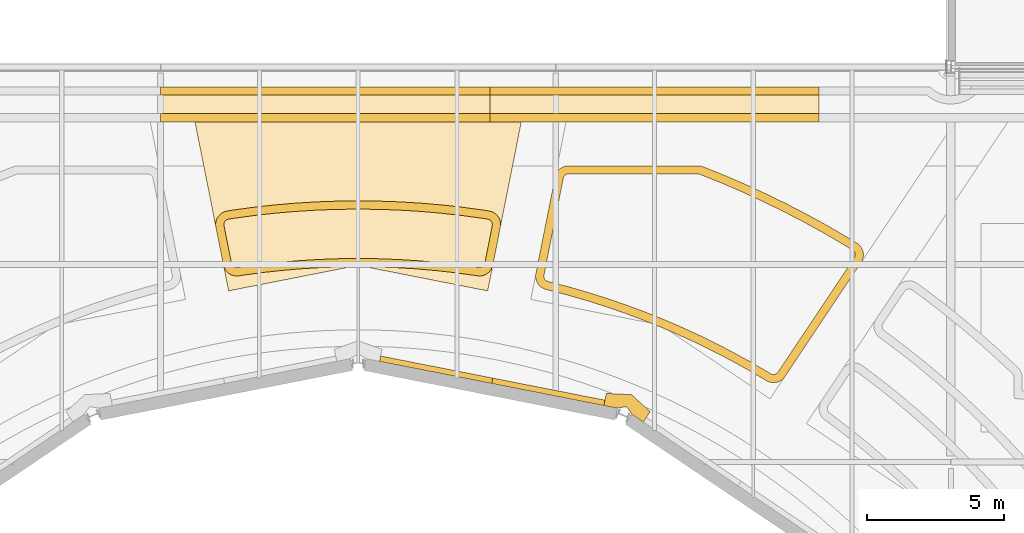
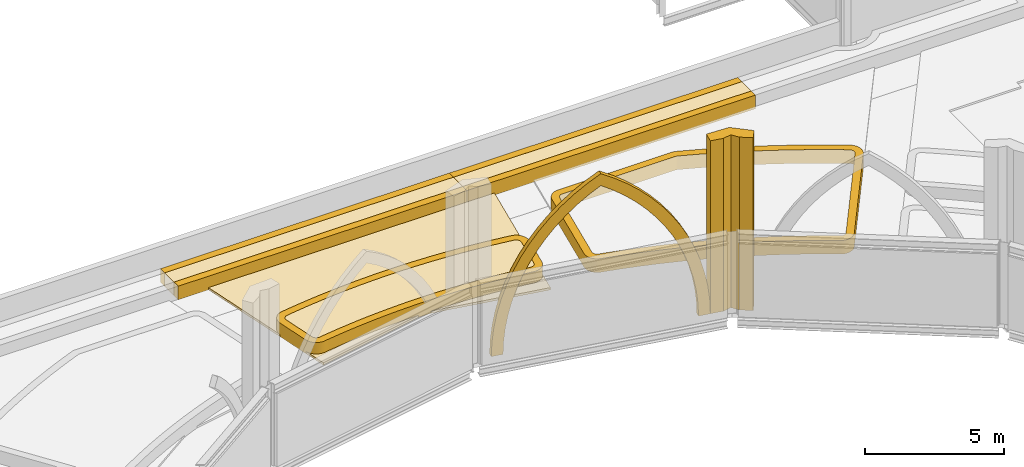
# One storey, part 97 of 110: 12 coverings.
"""IFC4 building model written with IfcOpenShell, lengths in metres."""

from ifc_helpers import new_model, si_unit, direction, frame, origin, place, context, subcontext, project, spatial, polyline, outline, extrude, material, layer, layer_set, type_object, element, save


model = new_model("IFC4")

# Units and contexts
model_context = context("Model", 3, precision=1e-05, world=origin(), true_north=direction((0.0, 1.0)))
body_context = subcontext(model_context, "Body", "Model", "MODEL_VIEW")
ifc_project = project(units=[si_unit("LENGTHUNIT", "METRE"), si_unit("AREAUNIT", "SQUARE_METRE"), si_unit("VOLUMEUNIT", "CUBIC_METRE"), si_unit("PLANEANGLEUNIT", "RADIAN"), si_unit("MASSUNIT", "GRAM", prefix="KILO")], contexts=[model_context])

# Site, building, storey
site_placement = place(None, origin())
site = spatial("IfcSite", under=ifc_project, at=site_placement, CompositionType="ELEMENT")
building_placement = place(site_placement, origin())
building = spatial("IfcBuilding", under=site, at=building_placement, Name="Kupolbacken Congress Centre", CompositionType="ELEMENT")
storey_placement = place(building_placement, frame((0.0, 0.0, 18.0)))
storey = spatial("IfcBuildingStorey", under=building, at=storey_placement, Name="L05", CompositionType="ELEMENT", Elevation=18.0)

# Coverings
ifc_material_1 = material(Name="Limestone cladding", Category="masonry")
ifc_layer_1 = layer(ifc_material_1, 0.60009765625)
ifc_layer_set_1 = layer_set([ifc_layer_1], Name="Limestone cladding")
covering_type_1 = type_object("IfcCoveringType", Name="CV5 limestone arcade pier 600", PredefinedType="CLADDING", material=ifc_layer_set_1)
covering_1_placement = place(storey_placement, origin())
element("IfcCovering", 1, at=covering_1_placement, inside=storey, type_object=covering_type_1, Name="Bed kerb, plenary wing roof", PredefinedType="CLADDING", context=body_context, shape_type="SweptSolid", body=[
    extrude(outline(polyline([(36.0, 120.3974609375), (36.0, 120.697509765625), (48.0, 120.697509765625), (48.0, 120.3974609375), (36.0, 120.3974609375)])), origin(), (0.0, 0.0, 1.0), 0.60009765625),
])
covering_2_placement = place(storey_placement, origin())
element("IfcCovering", 2, at=covering_2_placement, inside=storey, type_object=covering_type_1, Name="Bed kerb, plenary wing roof", PredefinedType="CLADDING", context=body_context, shape_type="SweptSolid", body=[
    extrude(outline(polyline([(48.0, 121.669921875), (48.0, 121.3701171875), (36.0, 121.3701171875), (36.0, 121.669921875), (48.0, 121.669921875)])), origin(), (0.0, 0.0, 1.0), 0.60009765625),
])
covering_3_placement = place(storey_placement, origin())
element("IfcCovering", 3, at=covering_3_placement, inside=storey, type_object=covering_type_1, Name="Bed kerb, plenary wing roof", PredefinedType="CLADDING", context=body_context, shape_type="SweptSolid", body=[
    extrude(outline(polyline([(48.0, 120.3974609375), (48.0, 120.697509765625), (60.0, 120.697509765625), (60.0, 120.3974609375), (48.0, 120.3974609375)])), origin(), (0.0, 0.0, 1.0), 0.60009765625),
])
covering_4_placement = place(storey_placement, origin())
element("IfcCovering", 4, at=covering_4_placement, inside=storey, type_object=covering_type_1, Name="Bed kerb, plenary wing roof", PredefinedType="CLADDING", context=body_context, shape_type="SweptSolid", body=[
    extrude(outline(polyline([(60.0, 121.669921875), (60.0, 121.3701171875), (48.0, 121.3701171875), (48.0, 121.669921875), (60.0, 121.669921875)])), origin(), (0.0, 0.0, 1.0), 0.60009765625),
])
covering_5_placement = place(storey_placement, origin())
element("IfcCovering", 5, at=covering_5_placement, inside=storey, type_object=covering_type_1, Name="Bed kerb, plenary wing roof", PredefinedType="CLADDING", context=body_context, shape_type="SweptSolid", body=[
    extrude(outline(polyline([(55.63623046875, 118.795166015625), (55.683349609375, 118.78857421875), (55.7294921875, 118.77734375), (55.7744140625, 118.76171875), (56.48095703125, 118.479248046875), (56.4921875, 118.474609375), (57.264404296875, 118.1435546875), (57.275390625, 118.138671875), (58.0390625, 117.788818359375), (58.050048828125, 117.78369140625), (58.804931640625, 117.415283203125), (58.81591796875, 117.40966796875), (59.561279296875, 117.02294921875), (59.572265625, 117.01708984375), (60.30810546875, 116.6123046875), (60.318603515625, 116.606201171875), (61.044189453125, 116.183349609375), (61.0546875, 116.177001953125), (61.377197265625, 115.978271484375), (61.41845703125, 115.949951171875), (61.456787109375, 115.91748046875), (61.49169921875, 115.88134765625), (61.522705078125, 115.841796875), (61.5498046875, 115.79931640625), (61.572265625, 115.754638671875), (61.590087890625, 115.707763671875), (61.603271484375, 115.6591796875), (61.611572265625, 115.609619140625), (61.61474609375, 115.5595703125), (61.61279296875, 115.509521484375), (61.606201171875, 115.459716796875), (61.59423828125, 115.410888671875), (61.57763671875, 115.363525390625), (61.556396484375, 115.318115234375), (61.530517578125, 115.27490234375), (58.751220703125, 111.114990234375), (58.72265625, 111.076416015625), (58.690673828125, 111.041015625), (58.6552734375, 111.008544921875), (58.616943359375, 110.979736328125), (58.576171875, 110.95458984375), (58.533203125, 110.93359375), (58.48828125, 110.916748046875), (58.44189453125, 110.904296875), (58.394775390625, 110.896240234375), (58.346923828125, 110.892822265625), (58.299072265625, 110.89404296875), (58.25146484375, 110.89990234375), (58.20458984375, 110.91015625), (58.158935546875, 110.9248046875), (58.114990234375, 110.944091796875), (58.072998046875, 110.967041015625), (57.967529296875, 111.0322265625), (57.96240234375, 111.035400390625), (57.358642578125, 111.38720703125), (57.353271484375, 111.39013671875), (56.7412109375, 111.72705078125), (56.735595703125, 111.72998046875), (56.115478515625, 112.0517578125), (56.110107421875, 112.0546875), (55.482177734375, 112.361083984375), (55.4765625, 112.36376953125), (54.84130859375, 112.654541015625), (54.835693359375, 112.656982421875), (54.193359375, 112.932373046875), (54.187744140625, 112.934814453125), (53.5390625, 113.194091796875), (53.533203125, 113.1962890625), (52.87841796875, 113.43994140625), (52.87255859375, 113.44189453125), (52.2119140625, 113.669189453125), (52.2060546875, 113.671142578125), (51.539794921875, 113.882080078125), (51.533935546875, 113.884033203125), (50.86279296875, 114.07861328125), (50.85693359375, 114.080078125), (50.181396484375, 114.25830078125), (50.17529296875, 114.259765625), (50.053466796875, 114.288818359375), (50.00732421875, 114.302001953125), (49.962890625, 114.319580078125), (49.920166015625, 114.341552734375), (49.8798828125, 114.3671875), (49.842041015625, 114.39697265625), (49.807373046875, 114.429931640625), (49.77587890625, 114.466064453125), (49.748291015625, 114.505126953125), (49.724365234375, 114.546630859375), (49.70458984375, 114.59033203125), (49.68896484375, 114.635498046875), (49.677734375, 114.68212890625), (49.671142578125, 114.7294921875), (49.6689453125, 114.777587890625), (49.67138671875, 114.825439453125), (49.6787109375, 114.872802734375), (50.379150390625, 118.39501953125), (50.39111328125, 118.442626953125), (50.40771484375, 118.48876953125), (50.4287109375, 118.533203125), (50.453857421875, 118.5751953125), (50.48291015625, 118.61474609375), (50.51611328125, 118.65087890625), (50.552490234375, 118.68408203125), (50.591796875, 118.713134765625), (50.6337890625, 118.738525390625), (50.67822265625, 118.759521484375), (50.724365234375, 118.77587890625), (50.77197265625, 118.787841796875), (50.820556640625, 118.795166015625), (50.86962890625, 118.797607421875), (55.5888671875, 118.797607421875), (55.63623046875, 118.795166015625)]), holes=[polyline([(50.876953125, 118.49755859375), (50.85009765625, 118.49609375), (50.83056640625, 118.493408203125), (50.8115234375, 118.488525390625), (50.793212890625, 118.48193359375), (50.775390625, 118.4736328125), (50.758544921875, 118.46337890625), (50.742919921875, 118.451904296875), (50.728515625, 118.438720703125), (50.715087890625, 118.424072265625), (50.70361328125, 118.408447265625), (50.693603515625, 118.3916015625), (50.68505859375, 118.373779296875), (50.678466796875, 118.35546875), (50.672119140625, 118.329345703125), (49.974365234375, 114.8212890625), (49.970458984375, 114.795166015625), (49.969482421875, 114.776123046875), (49.97021484375, 114.757080078125), (49.972900390625, 114.738037109375), (49.977294921875, 114.719482421875), (49.9833984375, 114.701416015625), (49.991455078125, 114.68408203125), (50.0009765625, 114.66748046875), (50.01220703125, 114.65185546875), (50.024658203125, 114.63720703125), (50.03857421875, 114.6240234375), (50.053466796875, 114.6123046875), (50.069580078125, 114.60205078125), (50.086669921875, 114.59326171875), (50.1044921875, 114.586181640625), (50.1298828125, 114.5791015625), (50.24658203125, 114.55126953125), (50.256103515625, 114.548828125), (50.935302734375, 114.369873046875), (50.944580078125, 114.3671875), (51.619384765625, 114.171630859375), (51.628662109375, 114.168701171875), (52.29833984375, 113.95654296875), (52.3076171875, 113.95361328125), (52.9716796875, 113.72509765625), (52.981201171875, 113.7216796875), (53.639404296875, 113.47705078125), (53.648681640625, 113.473388671875), (54.30078125, 113.212646484375), (54.309814453125, 113.208984375), (54.95556640625, 112.93212890625), (54.964599609375, 112.92822265625), (55.60302734375, 112.6357421875), (55.612060546875, 112.631591796875), (56.2431640625, 112.323486328125), (56.251953125, 112.31884765625), (56.87548828125, 111.99560546875), (56.884033203125, 111.99072265625), (57.49951171875, 111.652099609375), (57.508056640625, 111.647216796875), (58.114990234375, 111.293701171875), (58.123291015625, 111.28857421875), (58.224365234375, 111.226318359375), (58.247314453125, 111.213623046875), (58.264892578125, 111.2060546875), (58.283203125, 111.2001953125), (58.302001953125, 111.196044921875), (58.32080078125, 111.193603515625), (58.340087890625, 111.193115234375), (58.359130859375, 111.194580078125), (58.3779296875, 111.19775390625), (58.396484375, 111.20263671875), (58.414306640625, 111.20947265625), (58.431396484375, 111.2177734375), (58.447998046875, 111.227783203125), (58.463134765625, 111.239501953125), (58.477294921875, 111.252197265625), (58.489990234375, 111.2666015625), (58.505615234375, 111.28759765625), (61.27685546875, 115.435302734375), (61.291015625, 115.458984375), (61.299560546875, 115.47705078125), (61.30615234375, 115.49609375), (61.310791015625, 115.515380859375), (61.313720703125, 115.535400390625), (61.314453125, 115.555419921875), (61.31298828125, 115.575439453125), (61.309814453125, 115.59521484375), (61.3046875, 115.614501953125), (61.29736328125, 115.63330078125), (61.288330078125, 115.651123046875), (61.277587890625, 115.668212890625), (61.265380859375, 115.683837890625), (61.251220703125, 115.6982421875), (61.236083984375, 115.711181640625), (61.21337890625, 115.726806640625), (60.89892578125, 115.920654296875), (60.8916015625, 115.925048828125), (60.169189453125, 116.345947265625), (60.16162109375, 116.350341796875), (59.42919921875, 116.75341796875), (59.421630859375, 116.757568359375), (58.67919921875, 117.142578125), (58.671630859375, 117.146484375), (57.920166015625, 117.51318359375), (57.912353515625, 117.516845703125), (57.152099609375, 117.864990234375), (57.144287109375, 117.86865234375), (56.375732421875, 118.197998046875), (56.367919921875, 118.201416015625), (55.669677734375, 118.480712890625), (55.64501953125, 118.489013671875), (55.62646484375, 118.49365234375), (55.607666015625, 118.496337890625), (55.58154296875, 118.49755859375), (50.876953125, 118.49755859375)])]), origin(), (0.0, 0.0, 1.0), 0.60009765625),
])
covering_6_placement = place(storey_placement, origin())
element("IfcCovering", 6, at=covering_6_placement, inside=storey, type_object=covering_type_1, Name="Bed kerb, plenary wing roof", PredefinedType="CLADDING", context=body_context, shape_type="SweptSolid", body=[
    extrude(outline(polyline([(47.410888671875, 114.809326171875), (46.71875, 114.9033203125), (46.712646484375, 114.904296875), (46.01806640625, 114.981201171875), (46.011962890625, 114.981689453125), (45.31591796875, 115.041748046875), (45.309814453125, 115.042236328125), (44.6123046875, 115.0849609375), (44.606201171875, 115.085205078125), (43.907958984375, 115.111083984375), (43.90185546875, 115.111083984375), (43.203125, 115.119873046875), (43.197021484375, 115.119873046875), (42.498291015625, 115.111083984375), (42.4921875, 115.111083984375), (41.7939453125, 115.085205078125), (41.78759765625, 115.0849609375), (41.09033203125, 115.042236328125), (41.084228515625, 115.041748046875), (40.387939453125, 114.981689453125), (40.3818359375, 114.981201171875), (39.6875, 114.904296875), (39.681396484375, 114.9033203125), (38.989013671875, 114.809326171875), (38.98291015625, 114.80859375), (38.860595703125, 114.788818359375), (38.812744140625, 114.783447265625), (38.764892578125, 114.78271484375), (38.71728515625, 114.78662109375), (38.669921875, 114.794921875), (38.623779296875, 114.807861328125), (38.5791015625, 114.824951171875), (38.536376953125, 114.846435546875), (38.49560546875, 114.871826171875), (38.457763671875, 114.901123046875), (38.422607421875, 114.933837890625), (38.390869140625, 114.9697265625), (38.36279296875, 115.008544921875), (38.33837890625, 115.0498046875), (38.318115234375, 115.09326171875), (38.30224609375, 115.138427734375), (38.29052734375, 115.184814453125), (38.017333984375, 116.55859375), (38.010009765625, 116.6083984375), (38.0078125, 116.65869140625), (38.010498046875, 116.708740234375), (38.018310546875, 116.75830078125), (38.031005859375, 116.806884765625), (38.048583984375, 116.85400390625), (38.07080078125, 116.89892578125), (38.09716796875, 116.941650390625), (38.1279296875, 116.9814453125), (38.16259765625, 117.017822265625), (38.200439453125, 117.05078125), (38.24169921875, 117.07958984375), (38.285400390625, 117.10400390625), (38.331298828125, 117.1240234375), (38.379150390625, 117.139404296875), (38.428466796875, 117.14990234375), (38.627685546875, 117.181884765625), (38.639892578125, 117.183837890625), (39.384521484375, 117.284912109375), (39.396728515625, 117.286376953125), (40.1435546875, 117.369384765625), (40.15576171875, 117.37060546875), (40.904541015625, 117.43505859375), (40.916748046875, 117.435791015625), (41.6669921875, 117.48193359375), (41.67919921875, 117.482421875), (42.43017578125, 117.51025390625), (42.4423828125, 117.510498046875), (43.19384765625, 117.519775390625), (43.2060546875, 117.519775390625), (43.95751953125, 117.510498046875), (43.969970703125, 117.51025390625), (44.720703125, 117.482421875), (44.733154296875, 117.48193359375), (45.483154296875, 117.435791015625), (45.495361328125, 117.43505859375), (46.244140625, 117.37060546875), (46.25634765625, 117.369384765625), (47.00341796875, 117.286376953125), (47.015380859375, 117.284912109375), (47.760009765625, 117.183837890625), (47.772216796875, 117.181884765625), (47.9716796875, 117.14990234375), (48.020751953125, 117.139404296875), (48.068603515625, 117.1240234375), (48.114501953125, 117.10400390625), (48.158447265625, 117.07958984375), (48.199462890625, 117.05078125), (48.237548828125, 117.017822265625), (48.272216796875, 116.9814453125), (48.302734375, 116.941650390625), (48.329345703125, 116.89892578125), (48.3515625, 116.85400390625), (48.368896484375, 116.806884765625), (48.381591796875, 116.75830078125), (48.389404296875, 116.708740234375), (48.39208984375, 116.65869140625), (48.389892578125, 116.6083984375), (48.382568359375, 116.55859375), (48.109375, 115.184814453125), (48.097900390625, 115.138427734375), (48.081787109375, 115.09326171875), (48.0615234375, 115.0498046875), (48.037109375, 115.008544921875), (48.009033203125, 114.9697265625), (47.977294921875, 114.933837890625), (47.9423828125, 114.901123046875), (47.904296875, 114.871826171875), (47.86376953125, 114.846435546875), (47.82080078125, 114.824951171875), (47.776123046875, 114.807861328125), (47.72998046875, 114.794921875), (47.682861328125, 114.78662109375), (47.635009765625, 114.78271484375), (47.587158203125, 114.783447265625), (47.53955078125, 114.788818359375), (47.4169921875, 114.80859375), (47.410888671875, 114.809326171875)]), holes=[polyline([(47.580078125, 115.086181640625), (47.606201171875, 115.083251953125), (47.62548828125, 115.0830078125), (47.64453125, 115.08447265625), (47.663330078125, 115.087646484375), (47.681640625, 115.093017578125), (47.69970703125, 115.099853515625), (47.716796875, 115.1083984375), (47.73291015625, 115.118408203125), (47.748046875, 115.130126953125), (47.76220703125, 115.143310546875), (47.774658203125, 115.157470703125), (47.785888671875, 115.173095703125), (47.795654296875, 115.189453125), (47.8037109375, 115.206787109375), (47.810302734375, 115.224853515625), (47.81640625, 115.25048828125), (48.0869140625, 116.60986328125), (48.0908203125, 116.63720703125), (48.091796875, 116.6572265625), (48.0908203125, 116.67724609375), (48.087646484375, 116.697021484375), (48.08251953125, 116.71630859375), (48.07568359375, 116.735107421875), (48.066650390625, 116.753173828125), (48.05615234375, 116.770263671875), (48.0439453125, 116.7861328125), (48.030029296875, 116.800537109375), (48.014892578125, 116.813720703125), (47.99853515625, 116.8251953125), (47.98095703125, 116.835205078125), (47.962646484375, 116.843017578125), (47.943603515625, 116.84912109375), (47.91650390625, 116.85498046875), (47.726318359375, 116.885498046875), (47.718017578125, 116.88671875), (46.976806640625, 116.9873046875), (46.968505859375, 116.988525390625), (46.22509765625, 117.07080078125), (46.216552734375, 117.07177734375), (45.471435546875, 117.135986328125), (45.462890625, 117.136474609375), (44.716552734375, 117.182373046875), (44.7080078125, 117.182861328125), (43.960693359375, 117.210205078125), (43.9521484375, 117.21044921875), (43.204345703125, 117.2197265625), (43.19580078125, 117.2197265625), (42.447998046875, 117.21044921875), (42.439453125, 117.210205078125), (41.69189453125, 117.182861328125), (41.68359375, 117.182373046875), (40.93701171875, 117.136474609375), (40.928466796875, 117.135986328125), (40.183349609375, 117.07177734375), (40.1748046875, 117.07080078125), (39.431640625, 116.988525390625), (39.423095703125, 116.9873046875), (38.68212890625, 116.88671875), (38.673583984375, 116.885498046875), (38.4833984375, 116.85498046875), (38.45654296875, 116.84912109375), (38.4375, 116.843017578125), (38.4189453125, 116.835205078125), (38.401611328125, 116.8251953125), (38.385009765625, 116.813720703125), (38.369873046875, 116.800537109375), (38.356201171875, 116.7861328125), (38.343994140625, 116.770263671875), (38.333251953125, 116.753173828125), (38.324462890625, 116.735107421875), (38.3173828125, 116.71630859375), (38.3125, 116.697021484375), (38.309326171875, 116.67724609375), (38.30810546875, 116.6572265625), (38.30908203125, 116.63720703125), (38.31298828125, 116.60986328125), (38.58349609375, 115.25048828125), (38.58984375, 115.224853515625), (38.59619140625, 115.206787109375), (38.604248046875, 115.189453125), (38.614013671875, 115.173095703125), (38.625244140625, 115.157470703125), (38.637939453125, 115.143310546875), (38.65185546875, 115.130126953125), (38.6669921875, 115.118408203125), (38.683349609375, 115.1083984375), (38.700439453125, 115.099853515625), (38.71826171875, 115.093017578125), (38.73681640625, 115.087646484375), (38.755615234375, 115.08447265625), (38.774658203125, 115.0830078125), (38.793701171875, 115.083251953125), (38.81982421875, 115.086181640625), (38.93701171875, 115.10498046875), (38.94677734375, 115.1064453125), (39.642822265625, 115.200927734375), (39.652587890625, 115.2021484375), (40.3505859375, 115.279541015625), (40.360595703125, 115.280517578125), (41.060302734375, 115.3408203125), (41.070068359375, 115.341552734375), (41.771240234375, 115.384521484375), (41.781005859375, 115.385009765625), (42.48291015625, 115.410888671875), (42.49267578125, 115.4111328125), (43.195068359375, 115.419921875), (43.204833984375, 115.419921875), (43.9072265625, 115.4111328125), (43.9169921875, 115.410888671875), (44.618896484375, 115.385009765625), (44.62890625, 115.384521484375), (45.329833984375, 115.341552734375), (45.339599609375, 115.3408203125), (46.03955078125, 115.280517578125), (46.04931640625, 115.279541015625), (46.74755859375, 115.2021484375), (46.757080078125, 115.200927734375), (47.453125, 115.1064453125), (47.462890625, 115.10498046875), (47.580078125, 115.086181640625)])]), origin(), (0.0, 0.0, 1.0), 0.60009765625),
])
ifc_material_2 = material(Name="Limestone cladding", Category="masonry")
ifc_layer_2 = layer(ifc_material_2, 0.5)
ifc_layer_set_2 = layer_set([ifc_layer_2], Name="Limestone cladding")
covering_type_2 = type_object("IfcCoveringType", Name="CV8 limestone drum pier 500", PredefinedType="CLADDING", material=ifc_layer_set_2)
covering_7_placement = place(storey_placement, origin())
element("IfcCovering", 7, at=covering_7_placement, inside=storey, type_object=covering_type_2, Name="F/drum/pier-lo/10/0", PredefinedType="CLADDING", context=body_context, shape_type="SweptSolid", body=[
    extrude(outline(polyline([(53.846435546875, 109.8359375), (53.163818359375, 110.4580078125), (52.24365234375, 110.502197265625), (52.15673828125, 110.060791015625), (52.647216796875, 109.964111328125), (52.984130859375, 110.023681640625), (53.18017578125, 109.742431640625), (53.5947265625, 109.462890625), (53.846435546875, 109.8359375)])), origin(), (0.0, 0.0, 1.0), 7.60009765625),
])
ifc_material_3 = material(Name="Limestone cladding", Category="masonry")
ifc_layer_3 = layer(ifc_material_3, 0.199951171875)
ifc_layer_set_3 = layer_set([ifc_layer_3], Name="Limestone cladding")
covering_type_3 = type_object("IfcCoveringType", Name="CV9 limestone drum arch frame 200", PredefinedType="CLADDING", material=ifc_layer_set_3)
covering_8_placement = place(storey_placement, frame((52.15673828125, 110.060791015625, 0.0), z_axis=(0.193182328084, 0.981162875427, 0.0), x_axis=(-0.981162875427, 0.193182328084, 0.0)))
element("IfcCovering", 8, at=covering_8_placement, inside=storey, type_object=covering_type_3, Name="F/drum/arch/wall/11", PredefinedType="CLADDING", context=body_context, shape_type="SweptSolid", body=[
    extrude(outline(polyline([(0.0, 0.0), (0.0234375, 0.615966796875), (0.09326171875, 1.228515625), (0.20947265625, 1.833984375), (0.37109375, 2.4287109375), (0.577392578125, 3.009765625), (0.8271484375, 3.5732421875), (1.118896484375, 4.116455078125), (1.450927734375, 4.6357421875), (1.8212890625, 5.128662109375), (2.227783203125, 5.591796875), (2.66845703125, 6.023193359375), (3.140380859375, 6.419677734375), (3.64111328125, 6.779296875), (4.16748046875, 7.10009765625), (4.694091796875, 6.779296875), (5.19482421875, 6.419677734375), (5.666748046875, 6.023193359375), (6.107421875, 5.591796875), (6.513916015625, 5.128662109375), (6.884521484375, 4.6357421875), (7.21630859375, 4.116455078125), (7.508056640625, 3.5732421875), (7.7578125, 3.009765625), (7.964111328125, 2.4287109375), (8.125732421875, 1.833984375), (8.241943359375, 1.228515625), (8.31201171875, 0.615966796875), (8.335205078125, 0.0), (7.88525390625, 0.0), (7.864501953125, 0.56396484375), (7.802490234375, 1.124755859375), (7.699462890625, 1.679443359375), (7.555908203125, 2.22509765625), (7.372802734375, 2.7587890625), (7.15087890625, 3.277587890625), (6.8916015625, 3.77880859375), (6.59619140625, 4.259521484375), (6.266357421875, 4.71728515625), (5.90380859375, 5.1494140625), (5.51025390625, 5.553955078125), (5.08837890625, 5.928466796875), (4.639892578125, 6.27099609375), (4.16748046875, 6.579833984375), (3.6953125, 6.27099609375), (3.2470703125, 5.928466796875), (2.824951171875, 5.553955078125), (2.431640625, 5.1494140625), (2.069091796875, 4.71728515625), (1.739013671875, 4.259521484375), (1.443603515625, 3.77880859375), (1.184326171875, 3.277587890625), (0.96240234375, 2.7587890625), (0.779296875, 2.22509765625), (0.6357421875, 1.679443359375), (0.53271484375, 1.124755859375), (0.470703125, 0.56396484375), (0.449951171875, 0.0), (0.0, 0.0)])), origin(), (0.0, 0.0, 1.0), 0.199951171875),
])
ifc_material_4 = material(Name="Grass", Category="soil")
ifc_layer_4 = layer(ifc_material_4, 0.10009765625)
ifc_layer_set_4 = layer_set([ifc_layer_4], Name="Grass")
covering_type_4 = type_object("IfcCoveringType", Name="GR2 grass surface 100", PredefinedType="FLOORING", material=ifc_layer_set_4)
covering_9_placement = place(storey_placement, origin())
element("IfcCovering", 9, at=covering_9_placement, inside=storey, type_object=covering_type_4, Name="Green roof, plenary wing roof", PredefinedType="FLOORING", context=body_context, shape_type="SweptSolid", body=[
    extrude(outline(polyline([(37.25341796875, 120.3994140625), (49.146484375, 120.3994140625), (47.921142578125, 114.23828125), (43.199951171875, 115.167724609375), (38.47900390625, 114.23828125), (37.25341796875, 120.3994140625)])), origin(), (0.0, 0.0, 1.0), 0.10009765625),
])
ifc_material_5 = material(Name="Planting substrate", Category="soil")
ifc_layer_5 = layer(ifc_material_5, 0.60009765625)
ifc_layer_set_5 = layer_set([ifc_layer_5], Name="Planting substrate")
covering_type_5 = type_object("IfcCoveringType", Name="GR8 planting substrate 600", PredefinedType="FLOORING", material=ifc_layer_set_5)
covering_10_placement = place(storey_placement, origin())
element("IfcCovering", 10, at=covering_10_placement, inside=storey, type_object=covering_type_5, Name="Planting bed, plenary wing roof", PredefinedType="FLOORING", context=body_context, shape_type="SweptSolid", body=[
    extrude(outline(polyline([(48.0, 121.3701171875), (48.0, 120.697509765625), (36.0, 120.697509765625), (36.0, 121.3701171875), (48.0, 121.3701171875)])), origin(), (0.0, 0.0, 1.0), 0.60009765625),
])
covering_11_placement = place(storey_placement, origin())
element("IfcCovering", 11, at=covering_11_placement, inside=storey, type_object=covering_type_5, Name="Planting bed, plenary wing roof", PredefinedType="FLOORING", context=body_context, shape_type="SweptSolid", body=[
    extrude(outline(polyline([(60.0, 121.3701171875), (60.0, 120.697509765625), (48.0, 120.697509765625), (48.0, 121.3701171875), (60.0, 121.3701171875)])), origin(), (0.0, 0.0, 1.0), 0.60009765625),
])
covering_12_placement = place(storey_placement, origin())
element("IfcCovering", 12, at=covering_12_placement, inside=storey, type_object=covering_type_5, Name="Planting bed, plenary wing roof", PredefinedType="FLOORING", context=body_context, shape_type="SweptSolid", body=[
    extrude(outline(polyline([(47.462890625, 115.10498046875), (47.453125, 115.1064453125), (46.757080078125, 115.200927734375), (46.74755859375, 115.2021484375), (46.04931640625, 115.279541015625), (46.03955078125, 115.280517578125), (45.339599609375, 115.3408203125), (45.329833984375, 115.341552734375), (44.62890625, 115.384521484375), (44.618896484375, 115.385009765625), (43.9169921875, 115.410888671875), (43.9072265625, 115.4111328125), (43.204833984375, 115.419921875), (43.195068359375, 115.419921875), (42.49267578125, 115.4111328125), (42.48291015625, 115.410888671875), (41.781005859375, 115.385009765625), (41.771240234375, 115.384521484375), (41.070068359375, 115.341552734375), (41.060302734375, 115.3408203125), (40.360595703125, 115.280517578125), (40.3505859375, 115.279541015625), (39.652587890625, 115.2021484375), (39.642822265625, 115.200927734375), (38.94677734375, 115.1064453125), (38.93701171875, 115.10498046875), (38.81982421875, 115.086181640625), (38.793701171875, 115.083251953125), (38.774658203125, 115.0830078125), (38.755615234375, 115.08447265625), (38.73681640625, 115.087646484375), (38.71826171875, 115.093017578125), (38.700439453125, 115.099853515625), (38.683349609375, 115.1083984375), (38.6669921875, 115.118408203125), (38.65185546875, 115.130126953125), (38.637939453125, 115.143310546875), (38.625244140625, 115.157470703125), (38.614013671875, 115.173095703125), (38.604248046875, 115.189453125), (38.59619140625, 115.206787109375), (38.58984375, 115.224853515625), (38.58349609375, 115.25048828125), (38.31298828125, 116.60986328125), (38.30908203125, 116.63720703125), (38.30810546875, 116.6572265625), (38.309326171875, 116.67724609375), (38.3125, 116.697021484375), (38.3173828125, 116.71630859375), (38.324462890625, 116.735107421875), (38.333251953125, 116.753173828125), (38.343994140625, 116.770263671875), (38.356201171875, 116.7861328125), (38.369873046875, 116.800537109375), (38.385009765625, 116.813720703125), (38.401611328125, 116.8251953125), (38.4189453125, 116.835205078125), (38.4375, 116.843017578125), (38.45654296875, 116.84912109375), (38.4833984375, 116.85498046875), (38.673583984375, 116.885498046875), (38.68212890625, 116.88671875), (39.423095703125, 116.9873046875), (39.431640625, 116.988525390625), (40.1748046875, 117.07080078125), (40.183349609375, 117.07177734375), (40.928466796875, 117.135986328125), (40.93701171875, 117.136474609375), (41.68359375, 117.182373046875), (41.69189453125, 117.182861328125), (42.439453125, 117.210205078125), (42.447998046875, 117.21044921875), (43.19580078125, 117.2197265625), (43.204345703125, 117.2197265625), (43.9521484375, 117.21044921875), (43.960693359375, 117.210205078125), (44.7080078125, 117.182861328125), (44.716552734375, 117.182373046875), (45.462890625, 117.136474609375), (45.471435546875, 117.135986328125), (46.216552734375, 117.07177734375), (46.22509765625, 117.07080078125), (46.968505859375, 116.988525390625), (46.976806640625, 116.9873046875), (47.718017578125, 116.88671875), (47.726318359375, 116.885498046875), (47.91650390625, 116.85498046875), (47.943603515625, 116.84912109375), (47.962646484375, 116.843017578125), (47.98095703125, 116.835205078125), (47.99853515625, 116.8251953125), (48.014892578125, 116.813720703125), (48.030029296875, 116.800537109375), (48.0439453125, 116.7861328125), (48.05615234375, 116.770263671875), (48.066650390625, 116.753173828125), (48.07568359375, 116.735107421875), (48.08251953125, 116.71630859375), (48.087646484375, 116.697021484375), (48.0908203125, 116.67724609375), (48.091796875, 116.6572265625), (48.0908203125, 116.63720703125), (48.0869140625, 116.60986328125), (47.81640625, 115.25048828125), (47.810302734375, 115.224853515625), (47.8037109375, 115.206787109375), (47.795654296875, 115.189453125), (47.785888671875, 115.173095703125), (47.774658203125, 115.157470703125), (47.76220703125, 115.143310546875), (47.748046875, 115.130126953125), (47.73291015625, 115.118408203125), (47.716796875, 115.1083984375), (47.69970703125, 115.099853515625), (47.681640625, 115.093017578125), (47.663330078125, 115.087646484375), (47.64453125, 115.08447265625), (47.62548828125, 115.0830078125), (47.606201171875, 115.083251953125), (47.580078125, 115.086181640625), (47.462890625, 115.10498046875)])), origin(), (0.0, 0.0, 1.0), 0.60009765625),
])

save(model, "model.ifc")
